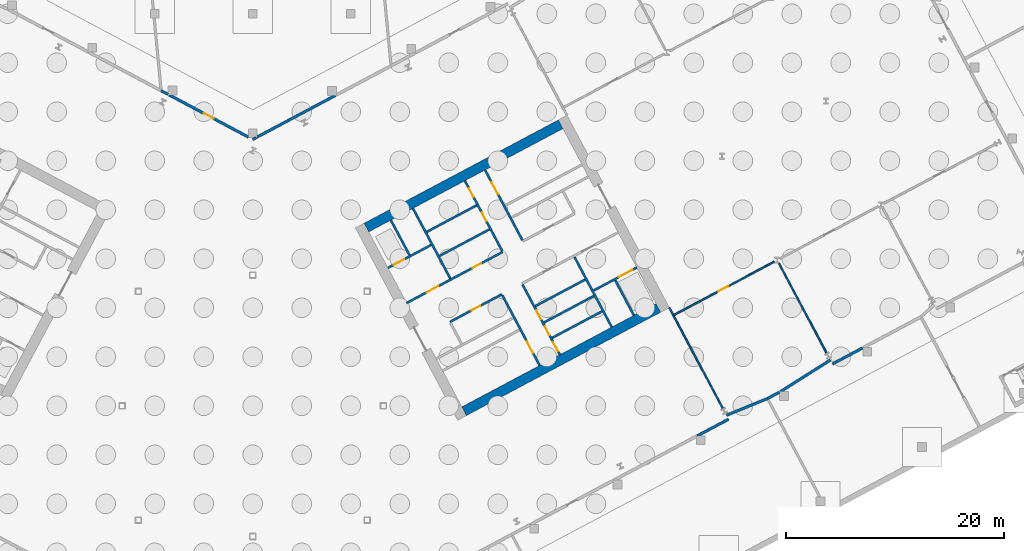
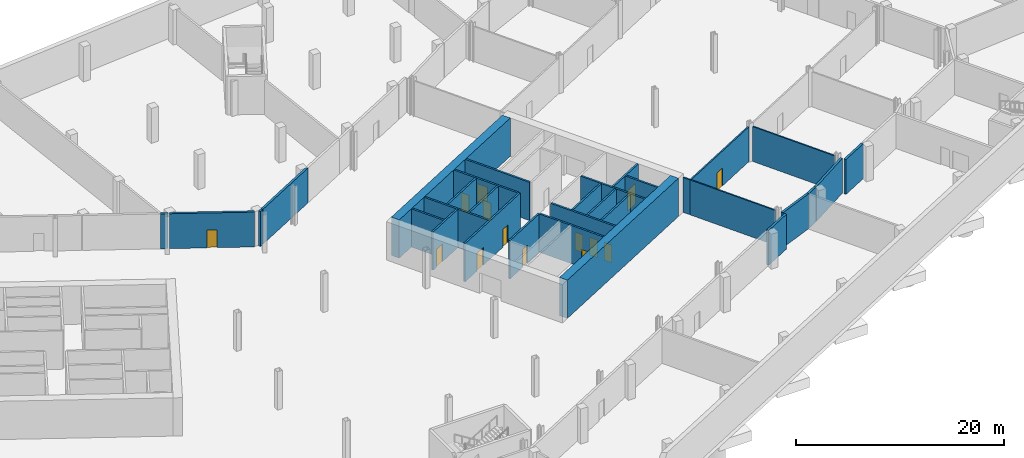
# One storey, part 14 of 29: 32 walls, 14 doors, 14 openings.
"""IFC4 building model written with IfcOpenShell, lengths in metres."""

from ifc_helpers import new_model, si_unit, direction, frame, frame_2d, origin, place, context, subcontext, project, spatial, rectangle, extrude, material, layer, layer_set, type_object, element, fill, save


model = new_model("IFC4")

# Units and contexts
model_context = context("Model", 3, precision=1e-05, world=origin(), true_north=direction((0.0, 1.0)))
body_context = subcontext(model_context, "Body", "Model", "MODEL_VIEW")
ifc_project = project(units=[si_unit("LENGTHUNIT", "METRE"), si_unit("AREAUNIT", "SQUARE_METRE"), si_unit("VOLUMEUNIT", "CUBIC_METRE"), si_unit("PLANEANGLEUNIT", "RADIAN"), si_unit("MASSUNIT", "GRAM", prefix="KILO")], contexts=[model_context])

# Site, building, storey
site_placement = place(None, origin())
site = spatial("IfcSite", under=ifc_project, at=site_placement, CompositionType="ELEMENT")
building_placement = place(site_placement, origin())
building = spatial("IfcBuilding", under=site, at=building_placement, Name="Cormorant Relay Tower", CompositionType="ELEMENT")
storey_placement = place(building_placement, frame((0.0, 0.0, -9.0)))
storey = spatial("IfcBuildingStorey", under=building, at=storey_placement, Name="B2", CompositionType="ELEMENT", Elevation=-9.0)

# Walls
ifc_material_1 = material(Name="Concrete 40 MPa", Category="concrete")
ifc_layer_1 = layer(ifc_material_1, 0.199951171875)
ifc_layer_set_1 = layer_set([ifc_layer_1], Name="Core internal wall 200")
wall_type_1 = type_object("IfcWallType", Name="Core internal wall 200", PredefinedType="SOLIDWALL", material=ifc_layer_set_1)
for number, where, z_axis, x_axis, name in (
    (1, (27.490234375, 6.23583984375, 0.0), (0.0, 0.0, 1.0), (0.882953967957, 0.469459572775, 0.0), "B2 core B shaft and room wall"),
    (2, (26.739013671875, 7.6484375, 0.0), (0.0, 0.0, 1.0), (0.882934506056, 0.469496174655, 0.0), "B2 core B shaft and room wall"),
    (3, (15.97314453125, 15.968017578125, 0.0), (0.0, 0.0, 1.0), (0.882953967957, 0.469459572775, 0.0), "B2 core B shaft and room wall"),
):
    element("IfcWall", number, at=place(storey_placement, frame(where, z_axis=z_axis, x_axis=x_axis)), inside=storey, type_object=wall_type_1, Name=name, PredefinedType="SOLIDWALL", context=body_context, shape_type="SweptSolid", body=[
        extrude(rectangle(XDim=5.199951171875, YDim=0.199951171875, at=frame_2d((2.60009765625, 0.0))), origin(), (0.0, 0.0, 1.0), 4.5),
    ])
ifc_material_2 = material(Name="Concrete 50 MPa", Category="concrete")
ifc_layer_2 = layer(ifc_material_2, 0.199951171875)
ifc_layer_set_2 = layer_set([ifc_layer_2], Name="Core shaft wall 200")
wall_type_2 = type_object("IfcWallType", Name="Core shaft wall 200", PredefinedType="SHEAR", material=ifc_layer_set_2)
wall_1_placement = place(storey_placement, frame((14.39404296875, 13.825927734375, 0.0), z_axis=(0.0, 0.0, 1.0), x_axis=(-0.469494272526, 0.882935517501, 0.0)))
element("IfcWall", 4, at=wall_1_placement, inside=storey, type_object=wall_type_2, Name="B2 core B shaft wall", PredefinedType="SHEAR", context=body_context, shape_type="SweptSolid", body=[
    extrude(rectangle(XDim=3.64990234375, YDim=0.199951171875, at=frame_2d((1.824951171875, 0.0))), origin(), (0.0, 0.0, 1.0), 4.5),
])
wall_2_placement = place(storey_placement, frame((18.138427734375, 11.682861328125, 0.0), z_axis=(0.0, 0.0, 1.0), x_axis=(-0.469480409012, 0.88294288918, 0.0)))
element("IfcWall", 5, at=wall_2_placement, inside=storey, type_object=wall_type_2, Name="B2 core B shaft wall", PredefinedType="SHEAR", context=body_context, shape_type="SweptSolid", body=[
    extrude(rectangle(XDim=7.300048828125, YDim=0.199951171875, at=frame_2d((3.64990234375, 0.0))), origin(), (0.0, 0.0, 1.0), 4.5),
])

# Wall, opening, door
wall_3_placement = place(storey_placement, frame((26.345947265625, 3.701904296875, 0.0), z_axis=(0.0, 0.0, 1.0), x_axis=(-0.469480409012, 0.88294288918, 0.0)))
wall_3 = element("IfcWall", 6, at=wall_3_placement, inside=storey, type_object=wall_type_2, Name="B2 core B shaft wall", PredefinedType="SHEAR", context=body_context, shape_type="SweptSolid", body=[
    extrude(rectangle(XDim=7.300048828125, YDim=0.199951171875, at=frame_2d((3.64990234375, 0.0))), origin(), (0.0, 0.0, 1.0), 4.5),
])
opening_1_placement = place(wall_3_placement, frame((1.300048828125, 0.0, 0.0)))
opening_1 = element("IfcOpeningElement", 7, at=opening_1_placement, cuts=wall_3, Name="Opening CDB-003", PredefinedType="OPENING", context=body_context, shape_type="SweptSolid", body=[
    extrude(rectangle(XDim=1.199951171875, YDim=2.10009765625, at=frame_2d((0.60009765625, 1.050048828125))), frame((0.0, 0.10986328125, 0.0), z_axis=(0.0, -1.0, 0.0), x_axis=(1.0, 0.0, 0.0)), (0.0, 0.0, 1.0), 0.219970703125),
])
ifc_material_3 = material(Name="Steel fire door", Category="steel")
door_type_1 = type_object("IfcDoorType", Name="Core stair door 1200x2100", OperationType="SINGLE_SWING_LEFT", PredefinedType="DOOR", material=ifc_material_3)
door_1_placement = place(opening_1_placement, origin())
door_1 = element("IfcDoor", 8, at=door_1_placement, inside=storey, type_object=door_type_1, Name="Core stair door 1200x2100", OperationType="SINGLE_SWING_RIGHT", OverallHeight=2.10009765625, OverallWidth=1.199951171875, PredefinedType="DOOR", context=body_context, shape_type="SweptSolid", body=[
    extrude(rectangle(XDim=1.199951171875, YDim=2.10009765625, at=frame_2d((0.60009765625, 1.050048828125))), frame((0.0, 0.02490234375, 0.0), z_axis=(0.0, -1.0, 0.0), x_axis=(1.0, 0.0, 0.0)), (0.0, 0.0, 1.0), 0.050048828125),
])
fill(opening_1, door_1)

# Wall, openings, doors
wall_4_placement = place(storey_placement, frame((22.90625, 14.218017578125, 0.0), z_axis=(0.0, 0.0, 1.0), x_axis=(-0.469480409012, 0.88294288918, 0.0)))
wall_4 = element("IfcWall", 9, at=wall_4_placement, inside=storey, type_object=wall_type_2, Name="B2 core B shaft wall", PredefinedType="SHEAR", context=body_context, shape_type="SweptSolid", body=[
    extrude(rectangle(XDim=7.300048828125, YDim=0.199951171875, at=frame_2d((3.64990234375, 0.0))), origin(), (0.0, 0.0, 1.0), 4.5),
])
opening_2_placement = place(wall_4_placement, frame((3.10009765625, 0.0, 0.0)))
opening_2 = element("IfcOpeningElement", 10, at=opening_2_placement, cuts=wall_4, Name="Opening CDD-014", PredefinedType="OPENING", context=body_context, shape_type="SweptSolid", body=[
    extrude(rectangle(XDim=0.89990234375, YDim=2.10009765625, at=frame_2d((0.449951171875, 1.050048828125))), frame((0.0, 0.10986328125, 0.0), z_axis=(0.0, -1.0, 0.0), x_axis=(1.0, 0.0, 0.0)), (0.0, 0.0, 1.0), 0.219970703125),
])
opening_3_placement = place(wall_4_placement, frame((5.60009765625, 0.0, 0.0)))
opening_3 = element("IfcOpeningElement", 11, at=opening_3_placement, cuts=wall_4, Name="Opening CDD-015", PredefinedType="OPENING", context=body_context, shape_type="SweptSolid", body=[
    extrude(rectangle(XDim=0.89990234375, YDim=2.10009765625, at=frame_2d((0.449951171875, 1.050048828125))), frame((0.0, 0.10986328125, 0.0), z_axis=(0.0, -1.0, 0.0), x_axis=(1.0, 0.0, 0.0)), (0.0, 0.0, 1.0), 0.219970703125),
])
ifc_material_4 = material(Name="Steel fire door", Category="steel")
door_type_2 = type_object("IfcDoorType", Name="Core room door 900x2100", OperationType="SINGLE_SWING_LEFT", PredefinedType="DOOR", material=ifc_material_4)
door_2_placement = place(opening_2_placement, origin())
door_2 = element("IfcDoor", 12, at=door_2_placement, inside=storey, type_object=door_type_2, Name="Core room door 900x2100", OperationType="SINGLE_SWING_RIGHT", OverallHeight=2.10009765625, OverallWidth=0.89990234375, PredefinedType="DOOR", context=body_context, shape_type="SweptSolid", body=[
    extrude(rectangle(XDim=0.89990234375, YDim=2.10009765625, at=frame_2d((0.449951171875, 1.050048828125))), frame((0.0, 0.02490234375, 0.0), z_axis=(0.0, -1.0, 0.0), x_axis=(1.0, 0.0, 0.0)), (0.0, 0.0, 1.0), 0.050048828125),
])
fill(opening_2, door_2)
door_3_placement = place(opening_3_placement, origin())
door_3 = element("IfcDoor", 13, at=door_3_placement, inside=storey, type_object=door_type_2, Name="Core room door 900x2100", OperationType="SINGLE_SWING_LEFT", OverallHeight=2.10009765625, OverallWidth=0.89990234375, PredefinedType="DOOR", context=body_context, shape_type="SweptSolid", body=[
    extrude(rectangle(XDim=0.89990234375, YDim=2.10009765625, at=frame_2d((0.449951171875, 1.050048828125))), frame((0.0, 0.02490234375, 0.0), z_axis=(0.0, -1.0, 0.0), x_axis=(1.0, 0.0, 0.0)), (0.0, 0.0, 1.0), 0.050048828125),
])
fill(opening_3, door_3)

wall_5_placement = place(storey_placement, frame((28.199951171875, 4.687744140625, 0.0), z_axis=(0.0, 0.0, 1.0), x_axis=(-0.469454336211, 0.882956752176, 0.0)))
wall_5 = element("IfcWall", 14, at=wall_5_placement, inside=storey, type_object=wall_type_2, Name="B2 core B shaft wall", PredefinedType="SHEAR", context=body_context, shape_type="SweptSolid", body=[
    extrude(rectangle(XDim=7.300048828125, YDim=0.199951171875, at=frame_2d((3.64990234375, 0.0))), origin(), (0.0, 0.0, 1.0), 4.5),
])
opening_4_placement = place(wall_5_placement, frame((0.39990234375, 0.0, 0.0)))
opening_4 = element("IfcOpeningElement", 15, at=opening_4_placement, cuts=wall_5, Name="Opening CDD-016", PredefinedType="OPENING", context=body_context, shape_type="SweptSolid", body=[
    extrude(rectangle(XDim=0.89990234375, YDim=2.10009765625, at=frame_2d((0.449951171875, 1.050048828125))), frame((0.0, 0.10986328125, 0.0), z_axis=(0.0, -1.0, 0.0), x_axis=(1.0, 0.0, 0.0)), (0.0, 0.0, 1.0), 0.219970703125),
])
opening_5_placement = place(wall_5_placement, frame((2.050048828125, 0.0, 0.0)))
opening_5 = element("IfcOpeningElement", 16, at=opening_5_placement, cuts=wall_5, Name="Opening CDD-017", PredefinedType="OPENING", context=body_context, shape_type="SweptSolid", body=[
    extrude(rectangle(XDim=0.89990234375, YDim=2.10009765625, at=frame_2d((0.449951171875, 1.050048828125))), frame((0.0, 0.10986328125, 0.0), z_axis=(0.0, -1.0, 0.0), x_axis=(1.0, 0.0, 0.0)), (0.0, 0.0, 1.0), 0.219970703125),
])
opening_6_placement = place(wall_5_placement, frame((3.699951171875, 0.0, 0.0)))
opening_6 = element("IfcOpeningElement", 17, at=opening_6_placement, cuts=wall_5, Name="Opening CDD-018", PredefinedType="OPENING", context=body_context, shape_type="SweptSolid", body=[
    extrude(rectangle(XDim=0.89990234375, YDim=2.10009765625, at=frame_2d((0.449951171875, 1.050048828125))), frame((0.0, 0.10986328125, 0.0), z_axis=(0.0, -1.0, 0.0), x_axis=(1.0, 0.0, 0.0)), (0.0, 0.0, 1.0), 0.219970703125),
])
door_4_placement = place(opening_4_placement, frame((0.89990234375, 0.0, 0.0), z_axis=(0.0, 0.0, 1.0), x_axis=(-1.0, 0.0, 0.0)))
door_4 = element("IfcDoor", 18, at=door_4_placement, inside=storey, type_object=door_type_2, Name="Core room door 900x2100", OperationType="SINGLE_SWING_LEFT", OverallHeight=2.10009765625, OverallWidth=0.89990234375, PredefinedType="DOOR", context=body_context, shape_type="SweptSolid", body=[
    extrude(rectangle(XDim=0.89990234375, YDim=2.10009765625, at=frame_2d((0.449951171875, 1.050048828125))), frame((0.0, 0.02490234375, 0.0), z_axis=(0.0, -1.0, 0.0), x_axis=(1.0, 0.0, 0.0)), (0.0, 0.0, 1.0), 0.050048828125),
])
fill(opening_4, door_4)
door_5_placement = place(opening_5_placement, frame((0.89990234375, 0.0, 0.0), z_axis=(0.0, 0.0, 1.0), x_axis=(-1.0, 0.0, 0.0)))
door_5 = element("IfcDoor", 19, at=door_5_placement, inside=storey, type_object=door_type_2, Name="Core room door 900x2100", OperationType="SINGLE_SWING_LEFT", OverallHeight=2.10009765625, OverallWidth=0.89990234375, PredefinedType="DOOR", context=body_context, shape_type="SweptSolid", body=[
    extrude(rectangle(XDim=0.89990234375, YDim=2.10009765625, at=frame_2d((0.449951171875, 1.050048828125))), frame((0.0, 0.02490234375, 0.0), z_axis=(0.0, -1.0, 0.0), x_axis=(1.0, 0.0, 0.0)), (0.0, 0.0, 1.0), 0.050048828125),
])
fill(opening_5, door_5)
door_6_placement = place(opening_6_placement, frame((0.89990234375, 0.0, 0.0), z_axis=(0.0, 0.0, 1.0), x_axis=(-1.0, 0.0, 0.0)))
door_6 = element("IfcDoor", 20, at=door_6_placement, inside=storey, type_object=door_type_2, Name="Core room door 900x2100", OperationType="SINGLE_SWING_LEFT", OverallHeight=2.10009765625, OverallWidth=0.89990234375, PredefinedType="DOOR", context=body_context, shape_type="SweptSolid", body=[
    extrude(rectangle(XDim=0.89990234375, YDim=2.10009765625, at=frame_2d((0.449951171875, 1.050048828125))), frame((0.0, 0.02490234375, 0.0), z_axis=(0.0, -1.0, 0.0), x_axis=(1.0, 0.0, 0.0)), (0.0, 0.0, 1.0), 0.050048828125),
])
fill(opening_6, door_6)

# Wall, opening, door
wall_6_placement = place(storey_placement, frame((24.760498046875, 15.2041015625, 0.0), z_axis=(0.0, 0.0, 1.0), x_axis=(-0.469494272526, 0.882935517501, 0.0)))
wall_6 = element("IfcWall", 21, at=wall_6_placement, inside=storey, type_object=wall_type_2, Name="B2 core B shaft wall", PredefinedType="SHEAR", context=body_context, shape_type="SweptSolid", body=[
    extrude(rectangle(XDim=7.2998046875, YDim=0.199951171875, at=frame_2d((3.64990234375, 0.0))), origin(), (0.0, 0.0, 1.0), 4.5),
])
opening_7_placement = place(wall_6_placement, frame((4.800048828125, 0.0, 0.0)))
opening_7 = element("IfcOpeningElement", 22, at=opening_7_placement, cuts=wall_6, Name="Opening CDB-004", PredefinedType="OPENING", context=body_context, shape_type="SweptSolid", body=[
    extrude(rectangle(XDim=1.199951171875, YDim=2.10009765625, at=frame_2d((0.60009765625, 1.050048828125))), frame((0.0, 0.10986328125, 0.0), z_axis=(0.0, -1.0, 0.0), x_axis=(1.0, 0.0, 0.0)), (0.0, 0.0, 1.0), 0.219970703125),
])
door_7_placement = place(opening_7_placement, frame((1.199951171875, 0.0, 0.0), z_axis=(0.0, 0.0, 1.0), x_axis=(-1.0, 0.0, 0.0)))
door_7 = element("IfcDoor", 23, at=door_7_placement, inside=storey, type_object=door_type_1, Name="Core stair door 1200x2100", OperationType="SINGLE_SWING_RIGHT", OverallHeight=2.10009765625, OverallWidth=1.199951171875, PredefinedType="DOOR", context=body_context, shape_type="SweptSolid", body=[
    extrude(rectangle(XDim=1.199951171875, YDim=2.10009765625, at=frame_2d((0.60009765625, 1.050048828125))), frame((0.0, 0.02490234375, 0.0), z_axis=(0.0, -1.0, 0.0), x_axis=(1.0, 0.0, 0.0)), (0.0, 0.0, 1.0), 0.050048828125),
])
fill(opening_7, door_7)

# Walls
wall_7_placement = place(storey_placement, frame((32.968017578125, 7.222900390625, 0.0), z_axis=(0.0, 0.0, 1.0), x_axis=(-0.469480409012, 0.88294288918, 0.0)))
element("IfcWall", 24, at=wall_7_placement, inside=storey, type_object=wall_type_2, Name="B2 core B shaft wall", PredefinedType="SHEAR", context=body_context, shape_type="SweptSolid", body=[
    extrude(rectangle(XDim=7.300048828125, YDim=0.199951171875, at=frame_2d((3.64990234375, 0.0))), origin(), (0.0, 0.0, 1.0), 4.5),
])
wall_8_placement = place(storey_placement, frame((34.998779296875, 8.302734375, 0.0), z_axis=(0.0, 0.0, 1.0), x_axis=(-0.4694665462, 0.882950260207, 0.0)))
element("IfcWall", 25, at=wall_8_placement, inside=storey, type_object=wall_type_2, Name="B2 core B shaft wall", PredefinedType="SHEAR", context=body_context, shape_type="SweptSolid", body=[
    extrude(rectangle(XDim=3.650146484375, YDim=0.199951171875, at=frame_2d((1.8251953125, 0.0))), origin(), (0.0, 0.0, 1.0), 4.5),
])

# Wall, opening, door
wall_9_placement = place(storey_placement, frame((31.295654296875, 10.5810546875, 0.0), z_axis=(0.0, 0.0, 1.0), x_axis=(0.882960433586, 0.469447412093, 0.0)))
wall_9 = element("IfcWall", 26, at=wall_9_placement, inside=storey, type_object=wall_type_2, Name="B2 core B shaft wall", PredefinedType="SHEAR", context=body_context, shape_type="SweptSolid", body=[
    extrude(rectangle(XDim=4.5, YDim=0.199951171875, at=frame_2d((2.25, 0.0))), origin(), (0.0, 0.0, 1.0), 4.5),
])
opening_8_placement = place(wall_9_placement, frame((2.64990234375, 0.0, 0.0)))
opening_8 = element("IfcOpeningElement", 27, at=opening_8_placement, cuts=wall_9, Name="Opening LD3-002", PredefinedType="OPENING", context=body_context, shape_type="SweptSolid", body=[
    extrude(rectangle(XDim=1.39990234375, YDim=2.39990234375, at=frame_2d((0.699951171875, 1.199951171875))), frame((0.0, 0.10986328125, 0.0), z_axis=(0.0, -1.0, 0.0), x_axis=(1.0, 0.0, 0.0)), (0.0, 0.0, 1.0), 0.219970703125),
])
ifc_material_5 = material(Name="Stainless steel 316", Category="steel")
door_type_3 = type_object("IfcDoorType", Name="Lift landing door 1400x2400", OperationType="DOUBLE_DOOR_SLIDING", PredefinedType="DOOR", material=ifc_material_5)
door_8_placement = place(opening_8_placement, origin())
door_8 = element("IfcDoor", 28, at=door_8_placement, inside=storey, type_object=door_type_3, Name="SV2 landing door", OperationType="DOUBLE_DOOR_SLIDING", OverallHeight=2.39990234375, OverallWidth=1.39990234375, PredefinedType="DOOR", context=body_context, shape_type="SweptSolid", body=[
    extrude(rectangle(XDim=1.39990234375, YDim=2.39990234375, at=frame_2d((0.699951171875, 1.199951171875))), frame((0.0, 0.02490234375, 0.0), z_axis=(0.0, -1.0, 0.0), x_axis=(1.0, 0.0, 0.0)), (0.0, 0.0, 1.0), 0.050048828125),
])
fill(opening_8, door_8)

# Wall
wall_10_placement = place(storey_placement, frame((25.94091796875, 9.149658203125, 0.0), z_axis=(0.0, 0.0, 1.0), x_axis=(0.882953967957, 0.469459572775, 0.0)))
element("IfcWall", 29, at=wall_10_placement, inside=storey, type_object=wall_type_2, Name="B2 core B shaft wall", PredefinedType="SHEAR", context=body_context, shape_type="SweptSolid", body=[
    extrude(rectangle(XDim=5.199951171875, YDim=0.199951171875, at=frame_2d((2.60009765625, 0.0))), origin(), (0.0, 0.0, 1.0), 4.5),
])

# Wall, opening, door
wall_11_placement = place(storey_placement, frame((18.103759765625, 7.70068359375, 0.0), z_axis=(0.0, 0.0, 1.0), x_axis=(0.882952937579, 0.469461510692, 0.0)))
wall_11 = element("IfcWall", 30, at=wall_11_placement, inside=storey, type_object=wall_type_2, Name="B2 core B shaft wall", PredefinedType="SHEAR", context=body_context, shape_type="SweptSolid", body=[
    extrude(rectangle(XDim=5.400146484375, YDim=0.199951171875, at=frame_2d((2.7001953125, 0.0))), origin(), (0.0, 0.0, 1.0), 4.5),
])
opening_9_placement = place(wall_11_placement, frame((2.25, 0.0, 0.0)))
opening_9 = element("IfcOpeningElement", 31, at=opening_9_placement, cuts=wall_11, Name="Opening CDD-012", PredefinedType="OPENING", context=body_context, shape_type="SweptSolid", body=[
    extrude(rectangle(XDim=0.89990234375, YDim=2.10009765625, at=frame_2d((0.449951171875, 1.050048828125))), frame((0.0, 0.10986328125, 0.0), z_axis=(0.0, -1.0, 0.0), x_axis=(1.0, 0.0, 0.0)), (0.0, 0.0, 1.0), 0.219970703125),
])
door_9_placement = place(opening_9_placement, frame((0.89990234375, 0.0, 0.0), z_axis=(0.0, 0.0, 1.0), x_axis=(-1.0, 0.0, 0.0)))
door_9 = element("IfcDoor", 32, at=door_9_placement, inside=storey, type_object=door_type_2, Name="Core room door 900x2100", OperationType="SINGLE_SWING_RIGHT", OverallHeight=2.10009765625, OverallWidth=0.89990234375, PredefinedType="DOOR", context=body_context, shape_type="SweptSolid", body=[
    extrude(rectangle(XDim=0.89990234375, YDim=2.10009765625, at=frame_2d((0.449951171875, 1.050048828125))), frame((0.0, 0.02490234375, 0.0), z_axis=(0.0, -1.0, 0.0), x_axis=(1.0, 0.0, 0.0)), (0.0, 0.0, 1.0), 0.050048828125),
])
fill(opening_9, door_9)

# Wall, openings, doors
wall_12_placement = place(storey_placement, frame((14.123779296875, 9.43505859375, 0.0), z_axis=(0.0, 0.0, 1.0), x_axis=(0.882940221191, 0.469485426614, 0.0)))
wall_12 = element("IfcWall", 33, at=wall_12_placement, inside=storey, type_object=wall_type_2, Name="B2 core B shaft wall", PredefinedType="SHEAR", context=body_context, shape_type="SweptSolid", body=[
    extrude(rectangle(XDim=10.0, YDim=0.199951171875, at=frame_2d((5.0, 0.0))), origin(), (0.0, 0.0, 1.0), 4.5),
])
opening_10_placement = place(wall_12_placement, frame((2.10009765625, 0.0, 0.0)))
opening_10 = element("IfcOpeningElement", 34, at=opening_10_placement, cuts=wall_12, Name="Opening CDC-003", PredefinedType="OPENING", context=body_context, shape_type="SweptSolid", body=[
    extrude(rectangle(XDim=1.199951171875, YDim=2.10009765625, at=frame_2d((0.60009765625, 1.050048828125))), frame((0.0, 0.10986328125, 0.0), z_axis=(0.0, -1.0, 0.0), x_axis=(1.0, 0.0, 0.0)), (0.0, 0.0, 1.0), 0.219970703125),
])
opening_11_placement = place(wall_12_placement, frame((6.85009765625, 0.0, 0.0)))
opening_11 = element("IfcOpeningElement", 35, at=opening_11_placement, cuts=wall_12, Name="Opening CDD-010", PredefinedType="OPENING", context=body_context, shape_type="SweptSolid", body=[
    extrude(rectangle(XDim=0.89990234375, YDim=2.10009765625, at=frame_2d((0.449951171875, 1.050048828125))), frame((0.0, 0.10986328125, 0.0), z_axis=(0.0, -1.0, 0.0), x_axis=(1.0, 0.0, 0.0)), (0.0, 0.0, 1.0), 0.219970703125),
])
ifc_material_6 = material(Name="Steel fire door", Category="steel")
door_type_4 = type_object("IfcDoorType", Name="Core lobby door 1200x2100", OperationType="SINGLE_SWING_LEFT", PredefinedType="DOOR", material=ifc_material_6)
door_10_placement = place(opening_10_placement, origin())
door_10 = element("IfcDoor", 36, at=door_10_placement, inside=storey, type_object=door_type_4, Name="Core lobby door 1200x2100", OperationType="SINGLE_SWING_RIGHT", OverallHeight=2.10009765625, OverallWidth=1.199951171875, PredefinedType="DOOR", context=body_context, shape_type="SweptSolid", body=[
    extrude(rectangle(XDim=1.199951171875, YDim=2.10009765625, at=frame_2d((0.60009765625, 1.050048828125))), frame((0.0, 0.02490234375, 0.0), z_axis=(0.0, -1.0, 0.0), x_axis=(1.0, 0.0, 0.0)), (0.0, 0.0, 1.0), 0.050048828125),
])
fill(opening_10, door_10)
door_11_placement = place(opening_11_placement, origin())
door_11 = element("IfcDoor", 37, at=door_11_placement, inside=storey, type_object=door_type_2, Name="Core room door 900x2100", OperationType="SINGLE_SWING_LEFT", OverallHeight=2.10009765625, OverallWidth=0.89990234375, PredefinedType="DOOR", context=body_context, shape_type="SweptSolid", body=[
    extrude(rectangle(XDim=0.89990234375, YDim=2.10009765625, at=frame_2d((0.449951171875, 1.050048828125))), frame((0.0, 0.02490234375, 0.0), z_axis=(0.0, -1.0, 0.0), x_axis=(1.0, 0.0, 0.0)), (0.0, 0.0, 1.0), 0.050048828125),
])
fill(opening_11, door_11)

# Wall
wall_13_placement = place(storey_placement, frame((17.146728515625, 13.7607421875, 0.0), z_axis=(0.0, 0.0, 1.0), x_axis=(0.882964314875, 0.469440111896, 0.0)))
element("IfcWall", 38, at=wall_13_placement, inside=storey, type_object=wall_type_2, Name="B2 core B shaft wall", PredefinedType="SHEAR", context=body_context, shape_type="SweptSolid", body=[
    extrude(rectangle(XDim=5.2001953125, YDim=0.199951171875, at=frame_2d((2.60009765625, 0.0))), origin(), (0.0, 0.0, 1.0), 4.5),
])

# Wall, opening, door
wall_14_placement = place(storey_placement, frame((12.41015625, 12.657958984375, 0.0), z_axis=(0.0, 0.0, 1.0), x_axis=(0.8829484765, 0.469469900894, 0.0)))
wall_14 = element("IfcWall", 39, at=wall_14_placement, inside=storey, type_object=wall_type_2, Name="B2 core B shaft wall", PredefinedType="SHEAR", context=body_context, shape_type="SweptSolid", body=[
    extrude(rectangle(XDim=4.499755859375, YDim=0.199951171875, at=frame_2d((2.25, 0.0))), origin(), (0.0, 0.0, 1.0), 4.5),
])
opening_12_placement = place(wall_14_placement, frame((0.60009765625, 0.0, 0.0)))
opening_12 = element("IfcOpeningElement", 40, at=opening_12_placement, cuts=wall_14, Name="Opening LD1-002", PredefinedType="OPENING", context=body_context, shape_type="SweptSolid", body=[
    extrude(rectangle(XDim=1.10009765625, YDim=2.10009765625, at=frame_2d((0.550048828125, 1.050048828125))), frame((0.0, 0.10986328125, 0.0), z_axis=(0.0, -1.0, 0.0), x_axis=(1.0, 0.0, 0.0)), (0.0, 0.0, 1.0), 0.219970703125),
])
ifc_material_7 = material(Name="Stainless steel 316", Category="steel")
door_type_5 = type_object("IfcDoorType", Name="Lift landing door 1100x2100", OperationType="DOUBLE_DOOR_SLIDING", PredefinedType="DOOR", material=ifc_material_7)
door_12_placement = place(opening_12_placement, origin())
door_12 = element("IfcDoor", 41, at=door_12_placement, inside=storey, type_object=door_type_5, Name="FF2 landing door", OperationType="DOUBLE_DOOR_SLIDING", OverallHeight=2.10009765625, OverallWidth=1.10009765625, PredefinedType="DOOR", context=body_context, shape_type="SweptSolid", body=[
    extrude(rectangle(XDim=1.10009765625, YDim=2.10009765625, at=frame_2d((0.550048828125, 1.050048828125))), frame((0.0, 0.02490234375, 0.0), z_axis=(0.0, -1.0, 0.0), x_axis=(1.0, 0.0, 0.0)), (0.0, 0.0, 1.0), 0.050048828125),
])
fill(opening_12, door_12)

# Walls
ifc_material_8 = material(Name="Concrete 70 MPa", Category="concrete")
ifc_layer_3 = layer(ifc_material_8, 0.89990234375)
ifc_layer_set_3 = layer_set([ifc_layer_3], Name="Core wall 900")
wall_type_3 = type_object("IfcWallType", Name="Core wall 900", PredefinedType="SHEAR", material=ifc_layer_set_3)
for number, where, z_axis, x_axis, name in (
    (42, (19.4052734375, -0.498046875, 0.0), (0.0, 0.0, 1.0), (0.88294509198, 0.469476266226, 0.0), "B2 core B wall"),
    (43, (10.4384765625, 16.3662109375, 0.0), (0.0, 0.0, 1.0), (0.88294509198, 0.469476266226, 0.0), "B2 core B wall"),
):
    element("IfcWall", number, at=place(storey_placement, frame(where, z_axis=z_axis, x_axis=x_axis)), inside=storey, type_object=wall_type_3, Name=name, PredefinedType="SHEAR", context=body_context, shape_type="SweptSolid", body=[
        extrude(rectangle(XDim=20.199951171875, YDim=0.89990234375, at=frame_2d((10.10009765625, 0.0))), origin(), (0.0, 0.0, 1.0), 4.5),
    ])
ifc_material_9 = material(Name="Concrete masonry 20 MPa", Category="masonry")
ifc_layer_4 = layer(ifc_material_9, 0.25)
ifc_layer_set_4 = layer_set([ifc_layer_4], Name="Fire separation wall 250")
wall_type_4 = type_object("IfcWallType", Name="Fire separation wall 250", PredefinedType="SOLIDWALL", material=ifc_layer_set_4)
wall_15_placement = place(storey_placement, frame((47.26953125, 0.670166015625, 0.0), z_axis=(0.0, 0.0, 1.0), x_axis=(-0.925490593681, -0.378770591531, 0.0)))
element("IfcWall", 44, at=wall_15_placement, inside=storey, type_object=wall_type_4, Name="Partition", PredefinedType="SOLIDWALL", context=body_context, shape_type="SweptSolid", body=[
    extrude(rectangle(XDim=4.07177734375, YDim=0.25, at=frame_2d((2.035888671875, 0.0))), origin(), (0.0, 0.0, 1.0), 4.10009765625),
])
wall_16_placement = place(storey_placement, frame((43.698974609375, -1.228515625, 0.0), z_axis=(0.0, 0.0, 1.0), x_axis=(-0.882959571528, -0.469449033492, 0.0)))
element("IfcWall", 45, at=wall_16_placement, inside=storey, type_object=wall_type_4, Name="Partition", PredefinedType="SOLIDWALL", context=body_context, shape_type="SweptSolid", body=[
    extrude(rectangle(XDim=3.26025390625, YDim=0.25, at=frame_2d((1.630126953125, 0.0))), origin(), (0.0, 0.0, 1.0), 4.10009765625),
])
wall_17_placement = place(storey_placement, frame((53.037353515625, 4.197998046875, 0.0), z_axis=(0.0, 0.0, 1.0), x_axis=(-0.845143693755, -0.534539181825, 0.0)))
element("IfcWall", 46, at=wall_17_placement, inside=storey, type_object=wall_type_4, Name="Partition", PredefinedType="SOLIDWALL", context=body_context, shape_type="SweptSolid", body=[
    extrude(rectangle(XDim=5.4140625, YDim=0.25, at=frame_2d((2.70703125, 0.0))), origin(), (0.0, 0.0, 1.0), 4.10009765625),
])
wall_18_placement = place(storey_placement, frame((48.375, 1.2578125, 0.0), z_axis=(0.0, 0.0, 1.0), x_axis=(-0.883006084416, -0.469361539631, 0.0)))
element("IfcWall", 47, at=wall_18_placement, inside=storey, type_object=wall_type_4, Name="Partition", PredefinedType="SOLIDWALL", context=body_context, shape_type="SweptSolid", body=[
    extrude(rectangle(XDim=1.239990234375, YDim=0.25, at=frame_2d((0.6201171875, 0.0))), origin(), (0.0, 0.0, 1.0), 4.10009765625),
])
wall_19_placement = place(storey_placement, frame((56.01708984375, 5.3212890625, 0.0), z_axis=(0.0, 0.0, 1.0), x_axis=(-0.882921481106, -0.469520668555, 0.0)))
element("IfcWall", 48, at=wall_19_placement, inside=storey, type_object=wall_type_4, Name="Partition", PredefinedType="SOLIDWALL", context=body_context, shape_type="SweptSolid", body=[
    extrude(rectangle(XDim=3.158447265625, YDim=0.25, at=frame_2d((1.5791015625, 0.0))), origin(), (0.0, 0.0, 1.0), 4.10009765625),
])
wall_20_placement = place(storey_placement, frame((-8.40673828125, 28.933349609375, 0.0), z_axis=(0.0, 0.0, 1.0), x_axis=(0.88302789325, -0.469320508547, 0.0)))
element("IfcWall", 49, at=wall_20_placement, inside=storey, type_object=wall_type_4, Name="Partition", PredefinedType="SOLIDWALL", context=body_context, shape_type="SweptSolid", body=[
    extrude(rectangle(XDim=0.719970703125, YDim=0.25, at=frame_2d((0.35986328125, 0.0))), origin(), (0.0, 0.0, 1.0), 4.10009765625),
])

# Wall, opening, door
wall_21_placement = place(storey_placement, frame((-7.68359375, 28.549072265625, 0.0), z_axis=(0.0, 0.0, 1.0), x_axis=(0.882947828207, -0.46947112016, 0.0)))
wall_21 = element("IfcWall", 50, at=wall_21_placement, inside=storey, type_object=wall_type_4, Name="Partition", PredefinedType="SOLIDWALL", context=body_context, shape_type="SweptSolid", body=[
    extrude(rectangle(XDim=8.249267578125, YDim=0.25, at=frame_2d((4.12451171875, 0.0))), origin(), (0.0, 0.0, 1.0), 4.10009765625),
])
opening_13_placement = place(wall_21_placement, frame((3.625, 0.0, 0.0)))
opening_13 = element("IfcOpeningElement", 51, at=opening_13_placement, cuts=wall_21, Name="Opening PD1-012", PredefinedType="OPENING", context=body_context, shape_type="SweptSolid", body=[
    extrude(rectangle(XDim=1.0, YDim=2.10009765625, at=frame_2d((0.5, 1.050048828125))), frame((0.0, 0.135009765625, 0.0), z_axis=(0.0, -1.0, 0.0), x_axis=(1.0, 0.0, 0.0)), (0.0, 0.0, 1.0), 0.27001953125),
])
ifc_material_10 = material(Name="Steel door leaf", Category="steel")
door_type_6 = type_object("IfcDoorType", Name="Door single 1000", OperationType="SINGLE_SWING_LEFT", PredefinedType="DOOR", material=ifc_material_10)
door_13_placement = place(opening_13_placement, origin())
door_13 = element("IfcDoor", 52, at=door_13_placement, inside=storey, type_object=door_type_6, Name="Door", OperationType="SINGLE_SWING_RIGHT", OverallHeight=2.10009765625, OverallWidth=1.0, PredefinedType="DOOR", context=body_context, shape_type="SweptSolid", body=[
    extrude(rectangle(XDim=1.0, YDim=2.10009765625, at=frame_2d((0.5, 1.050048828125))), frame((0.0, 0.02490234375, 0.0), z_axis=(0.0, -1.0, 0.0), x_axis=(1.0, 0.0, 0.0)), (0.0, 0.0, 1.0), 0.050048828125),
])
fill(opening_13, door_13)

# Walls
wall_22_placement = place(storey_placement, frame((0.0, 24.46337890625, 0.0), z_axis=(0.0, 0.0, 1.0), x_axis=(0.882848088474, 0.469658655491, 0.0)))
element("IfcWall", 53, at=wall_22_placement, inside=storey, type_object=wall_type_4, Name="Partition", PredefinedType="SOLIDWALL", context=body_context, shape_type="SweptSolid", body=[
    extrude(rectangle(XDim=0.3544921875, YDim=0.25, at=frame_2d((0.17724609375, 0.0))), origin(), (0.0, 0.0, 1.0), 4.10009765625),
])
wall_23_placement = place(storey_placement, frame((0.39990234375, 24.67626953125, 0.0), z_axis=(0.0, 0.0, 1.0), x_axis=(0.882954609474, 0.469458366214, 0.0)))
element("IfcWall", 54, at=wall_23_placement, inside=storey, type_object=wall_type_4, Name="Partition", PredefinedType="SOLIDWALL", context=body_context, shape_type="SweptSolid", body=[
    extrude(rectangle(XDim=8.14501953125, YDim=0.25, at=frame_2d((4.072509765625, 0.0))), origin(), (0.0, 0.0, 1.0), 4.10009765625),
])

# Wall, opening, door
ifc_material_11 = material(Name="Gypsum board on steel stud", Category="steel")
ifc_layer_5 = layer(ifc_material_11, 0.14990234375)
ifc_layer_set_5 = layer_set([ifc_layer_5], Name="Partition 150")
wall_type_5 = type_object("IfcWallType", Name="Partition 150", PredefinedType="PARTITIONING", material=ifc_layer_set_5)
wall_24_placement = place(storey_placement, frame((38.622314453125, 8.30419921875, 0.0), z_axis=(0.0, 0.0, 1.0), x_axis=(0.882956451437, 0.469454901845, 0.0)))
wall_24 = element("IfcWall", 55, at=wall_24_placement, inside=storey, type_object=wall_type_5, Name="Partition", PredefinedType="PARTITIONING", context=body_context, shape_type="SweptSolid", body=[
    extrude(rectangle(XDim=10.50244140625, YDim=0.14990234375, at=frame_2d((5.251220703125, 0.0))), origin(), (0.0, 0.0, 1.0), 4.10009765625),
])
opening_14_placement = place(wall_24_placement, frame((4.673095703125, 0.0, 0.0)))
opening_14 = element("IfcOpeningElement", 56, at=opening_14_placement, cuts=wall_24, Name="Opening PD1-024", PredefinedType="OPENING", context=body_context, shape_type="SweptSolid", body=[
    extrude(rectangle(XDim=1.0, YDim=2.10009765625, at=frame_2d((0.5, 1.050048828125))), frame((0.0, 0.0849609375, 0.0), z_axis=(0.0, -1.0, 0.0), x_axis=(1.0, 0.0, 0.0)), (0.0, 0.0, 1.0), 0.169921875),
])
door_14_placement = place(opening_14_placement, frame((1.0, 0.0, 0.0), z_axis=(0.0, 0.0, 1.0), x_axis=(-1.0, 0.0, 0.0)))
door_14 = element("IfcDoor", 57, at=door_14_placement, inside=storey, type_object=door_type_6, Name="Door", OperationType="SINGLE_SWING_RIGHT", OverallHeight=2.10009765625, OverallWidth=1.0, PredefinedType="DOOR", context=body_context, shape_type="SweptSolid", body=[
    extrude(rectangle(XDim=1.0, YDim=2.10009765625, at=frame_2d((0.5, 1.050048828125))), frame((0.0, 0.02490234375, 0.0), z_axis=(0.0, -1.0, 0.0), x_axis=(1.0, 0.0, 0.0)), (0.0, 0.0, 1.0), 0.050048828125),
])
fill(opening_14, door_14)

# Walls
wall_25_placement = place(storey_placement, frame((38.24658203125, 9.010498046875, 0.0), z_axis=(0.0, 0.0, 1.0), x_axis=(0.469454908155, -0.882956448082, 0.0)))
element("IfcWall", 58, at=wall_25_placement, inside=storey, type_object=wall_type_5, Name="Partition", PredefinedType="PARTITIONING", context=body_context, shape_type="SweptSolid", body=[
    extrude(rectangle(XDim=0.794189453125, YDim=0.14990234375, at=frame_2d((0.39697265625, 0.0))), origin(), (0.0, 0.0, 1.0), 4.10009765625),
])
wall_26_placement = place(storey_placement, frame((52.704345703125, 4.824462890625, 0.0), z_axis=(0.0, 0.0, 1.0), x_axis=(-0.469494001944, 0.882935661381, 0.0)))
element("IfcWall", 59, at=wall_26_placement, inside=storey, type_object=wall_type_5, Name="Partition", PredefinedType="PARTITIONING", context=body_context, shape_type="SweptSolid", body=[
    extrude(rectangle(XDim=9.3251953125, YDim=0.14990234375, at=frame_2d((4.66259765625, 0.0))), origin(), (0.0, 0.0, 1.0), 4.10009765625),
])
wall_27_placement = place(storey_placement, frame((38.620361328125, 8.3076171875, 0.0), z_axis=(0.0, 0.0, 1.0), x_axis=(0.469473365889, -0.882946634129, 0.0)))
element("IfcWall", 60, at=wall_27_placement, inside=storey, type_object=wall_type_5, Name="Partition", PredefinedType="PARTITIONING", context=body_context, shape_type="SweptSolid", body=[
    extrude(rectangle(XDim=9.687255859375, YDim=0.14990234375, at=frame_2d((4.84375, 0.0))), origin(), (0.0, 0.0, 1.0), 4.10009765625),
])

save(model, "model.ifc")
